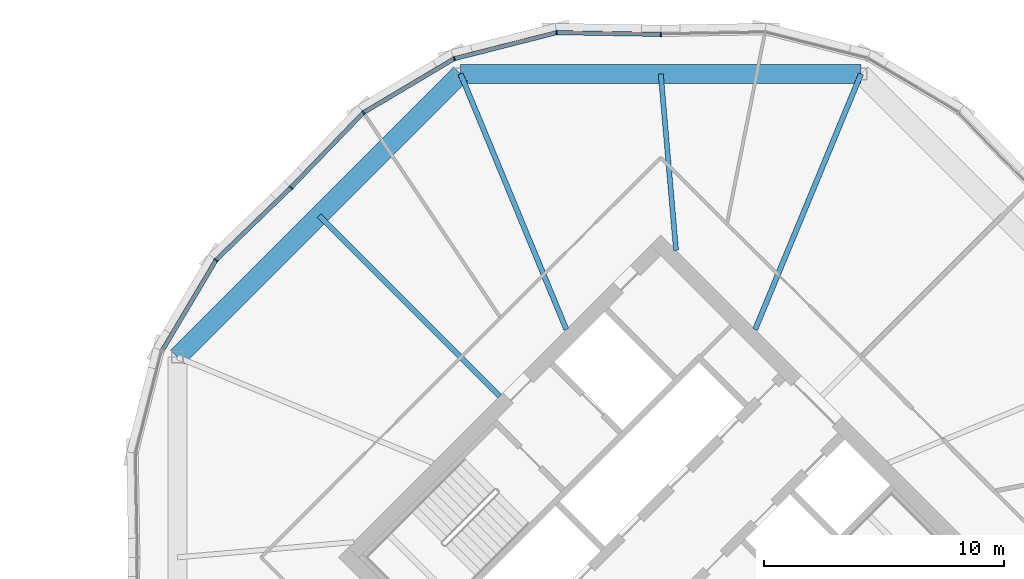
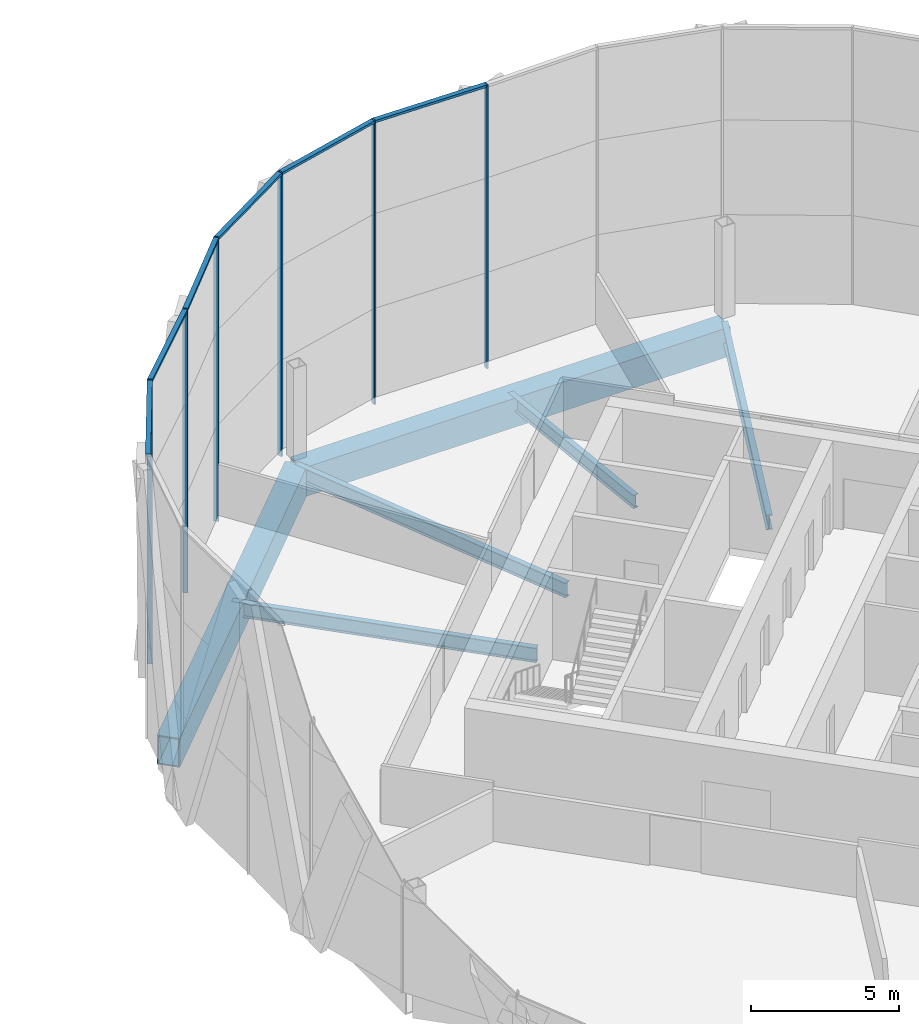
# One storey, part 11 of 23: 12 members, 6 beams, 3 elements without a shape of their own.
"""IFC4 building model written with IfcOpenShell, lengths in metres."""

from ifc_helpers import new_model, si_unit, direction, frame, origin, origin_2d, place, context, subcontext, project, spatial, rectangle, hollow_rectangle, i_section, extrude, material, material_profile, profile_set, type_object, element, aggregate, save


model = new_model("IFC4")

# Units and contexts
model_context = context("Model", 3, precision=1e-05, world=origin(), true_north=direction((0.0, 1.0)))
body_context = subcontext(model_context, "Body", "Model", "MODEL_VIEW")
ifc_project = project(units=[si_unit("LENGTHUNIT", "METRE"), si_unit("AREAUNIT", "SQUARE_METRE"), si_unit("VOLUMEUNIT", "CUBIC_METRE"), si_unit("PLANEANGLEUNIT", "RADIAN"), si_unit("MASSUNIT", "GRAM", prefix="KILO")], contexts=[model_context])

# Site, building, storey
site_placement = place(None, origin())
site = spatial("IfcSite", under=ifc_project, at=site_placement, CompositionType="ELEMENT")
building_placement = place(site_placement, origin())
building = spatial("IfcBuilding", under=site, at=building_placement, Name="Ogive Gate Towers", CompositionType="ELEMENT")
storey_placement = place(building_placement, frame((0.0, 0.0, 177.300048828125)))
storey = spatial("IfcBuildingStorey", under=building, at=storey_placement, Name="L42", CompositionType="ELEMENT", Elevation=177.300048828125)

# Beams
ifc_material_1 = material(Name="Steel SM460", Category="steel")
ifc_material_profile_1 = material_profile(ifc_material_1, hollow_rectangle(XDim=0.800048828125, YDim=1.199951171875, WallThickness=0.050048828125, at=origin_2d()), Name="BX 1200x800x50")
ifc_profile_set_1 = profile_set([ifc_material_profile_1], Name="Steel SM460")
beam_type_1 = type_object("IfcBeamType", Name="Edge girder BX 1200x800x50", PredefinedType="BEAM", material=ifc_profile_set_1)
beam_1_placement = place(storey_placement, frame((44.346435546875, 20.14990234375, -0.900146484375), z_axis=(-1.0, 0.0, 0.0), x_axis=(0.0, -1.0, 0.0)))
element("IfcBeam", 1, at=beam_1_placement, inside=storey, type_object=beam_type_1, Name="T2/L42/SBM022", PredefinedType="BEAM", context=body_context, shape_type="SweptSolid", body=[
    extrude(hollow_rectangle(XDim=0.800048828125, YDim=1.199951171875, WallThickness=0.050048828125, at=origin_2d()), origin(), (0.0, 0.0, 1.0), 16.69287109375),
])
beam_2_placement = place(storey_placement, frame((27.653564453125, 20.14990234375, -0.900146484375), z_axis=(-0.707106781187, -0.707106781187, 0.0), x_axis=(0.707106781187, -0.707106781187, 0.0)))
element("IfcBeam", 2, at=beam_2_placement, inside=storey, type_object=beam_type_1, Name="T2/L42/SBM023", PredefinedType="BEAM", context=body_context, shape_type="SweptSolid", body=[
    extrude(hollow_rectangle(XDim=0.800048828125, YDim=1.199951171875, WallThickness=0.050048828125, at=origin_2d()), origin(), (0.0, 0.0, 1.0), 16.692626953125),
])
ifc_material_2 = material(Name="Steel SM355", Category="steel")
ifc_material_profile_2 = material_profile(ifc_material_2, i_section(OverallWidth=0.2099609375, OverallDepth=0.550048828125, WebThickness=0.010986328125, FlangeThickness=0.01708984375, FilletRadius=0.02392578125, at=origin_2d()), Name="IPE 550")
ifc_profile_set_2 = profile_set([ifc_material_profile_2], Name="Steel SM355")
beam_type_2 = type_object("IfcBeamType", Name="Radial floor beam IPE 550", PredefinedType="BEAM", material=ifc_profile_set_2)
beam_3_placement = place(storey_placement, frame((36.636474609375, 12.798583984375, -0.574951171875), z_axis=(-0.086256966176, 0.996272922339, 0.0), x_axis=(-0.996272922339, -0.086256966176, 0.0)))
element("IfcBeam", 3, at=beam_3_placement, inside=storey, type_object=beam_type_2, Name="T2/L42/SBM012", PredefinedType="BEAM", context=body_context, shape_type="SweptSolid", body=[
    extrude(i_section(OverallWidth=0.2099609375, OverallDepth=0.550048828125, WebThickness=0.010986328125, FlangeThickness=0.01708984375, FilletRadius=0.02392578125, at=origin_2d()), origin(), (0.0, 0.0, 1.0), 7.37890625),
])
ifc_material_profile_3 = material_profile(ifc_material_2, i_section(OverallWidth=0.219970703125, OverallDepth=0.60009765625, WebThickness=0.011962890625, FlangeThickness=0.01904296875, FilletRadius=0.02392578125, at=origin_2d()), Name="IPE 600")
ifc_profile_set_3 = profile_set([ifc_material_profile_3], Name="Steel SM355")
beam_type_3 = type_object("IfcBeamType", Name="Radial floor beam IPE 600", PredefinedType="BEAM", material=ifc_profile_set_3)
for number, where, z_axis, x_axis, name in (
    (4, (39.93505859375, 9.5, -0.60009765625), (0.382686613691, 0.923878214756, 0.0), (-0.923878214756, 0.382686613691, 0.0), "T2/L42/SBM011"),
    (5, (32.06494140625, 9.5, -0.60009765625), (-0.382686613691, 0.923878214756, 0.0), (-0.923878214756, -0.382686613691, 0.0), "T2/L42/SBM013"),
):
    element("IfcBeam", number, at=place(storey_placement, frame(where, z_axis=z_axis, x_axis=x_axis)), inside=storey, type_object=beam_type_3, Name=name, PredefinedType="BEAM", context=body_context, shape_type="SweptSolid", body=[
        extrude(i_section(OverallWidth=0.219970703125, OverallDepth=0.60009765625, WebThickness=0.011962890625, FlangeThickness=0.01904296875, FilletRadius=0.02392578125, at=origin_2d()), origin(), (0.0, 0.0, 1.0), 11.52734375),
    ])
beam_4_placement = place(storey_placement, frame((29.282470703125, 6.717529296875, -0.60009765625), z_axis=(-0.707106781187, 0.707106781187, 0.0), x_axis=(-0.707106781187, -0.707106781187, 0.0)))
element("IfcBeam", 6, at=beam_4_placement, inside=storey, type_object=beam_type_3, Name="T2/L42/SBM014", PredefinedType="BEAM", context=body_context, shape_type="SweptSolid", body=[
    extrude(i_section(OverallWidth=0.219970703125, OverallDepth=0.60009765625, WebThickness=0.011962890625, FlangeThickness=0.01904296875, FilletRadius=0.02392578125, at=origin_2d()), origin(), (0.0, 0.0, 1.0), 10.649658203125),
])

# Curtain wall, member
ifc_material_3 = material(Name="Pale metal aluminium", Category="aluminium")
curtain_wall_type = type_object("IfcCurtainWallType", Name="Tower unitised wall, high zone", PredefinedType="NOTDEFINED", material=ifc_material_3)
curtain_wall_1_placement = place(storey_placement, origin())
curtain_wall_1 = element("IfcCurtainWall", 7, at=curtain_wall_1_placement, inside=storey, type_object=curtain_wall_type, Name="CW2 T2 ECW02", PredefinedType="NOTDEFINED")
ifc_material_profile_4 = material_profile(ifc_material_3, rectangle(XDim=0.179931640625, YDim=0.06005859375, at=origin_2d()), Name="60 x 180 aluminium box")
ifc_profile_set_4 = profile_set([ifc_material_profile_4], Name="Pale metal aluminium")
member_type_1 = type_object("IfcMemberType", Name="Tower unitised wall, high zone mullion 60 x 180", PredefinedType="MULLION", material=ifc_profile_set_4)
member_1_placement = place(storey_placement, frame((36.000244140625, 21.800048828125, -0.300048828125), z_axis=(0.0, 0.0, 1.0), x_axis=(-0.016911434246, 0.99985699147, 0.0)))
member_1 = element("IfcMember", 8, at=member_1_placement, type_object=member_type_1, Name="CW2 mullion", PredefinedType="MULLION", context=body_context, shape_type="SweptSolid", body=[
    extrude(rectangle(XDim=0.179931640625, YDim=0.06005859375, at=origin_2d()), origin(), (0.0, 0.0, 1.0), 11.699951171875),
])
aggregate(curtain_wall_1, [member_1])

# Curtain wall, members
curtain_wall_2_placement = place(storey_placement, origin())
curtain_wall_2 = element("IfcCurtainWall", 9, at=curtain_wall_2_placement, inside=storey, type_object=curtain_wall_type, Name="CW2 T2 ECW03", PredefinedType="NOTDEFINED")
member_2_placement = place(storey_placement, frame((31.656494140625, 21.87353515625, -0.300048828125), z_axis=(0.0, 0.0, 1.0), x_axis=(-0.115803987891, 0.993272085779, 0.0)))
member_2 = element("IfcMember", 10, at=member_2_placement, type_object=member_type_1, Name="CW2 mullion", PredefinedType="MULLION", context=body_context, shape_type="SweptSolid", body=[
    extrude(rectangle(XDim=0.179931640625, YDim=0.06005859375, at=origin_2d()), origin(), (0.0, 0.0, 1.0), 11.699951171875),
])
member_3_placement = place(storey_placement, frame((27.38916015625, 20.788330078125, -0.300048828125), z_axis=(0.0, 0.0, 1.0), x_axis=(-0.382683432365, 0.923879532511, 0.0)))
member_3 = element("IfcMember", 11, at=member_3_placement, type_object=member_type_1, Name="CW2 mullion", PredefinedType="MULLION", context=body_context, shape_type="SweptSolid", body=[
    extrude(rectangle(XDim=0.179931640625, YDim=0.06005859375, at=origin_2d()), origin(), (0.0, 0.0, 1.0), 11.699951171875),
])
member_4_placement = place(storey_placement, frame((23.6044921875, 18.538330078125, -0.300048828125), z_axis=(0.0, 0.0, 1.0), x_axis=(-0.620463642292, 0.784235212544, 0.0)))
member_4 = element("IfcMember", 12, at=member_4_placement, type_object=member_type_1, Name="CW2 mullion", PredefinedType="MULLION", context=body_context, shape_type="SweptSolid", body=[
    extrude(rectangle(XDim=0.179931640625, YDim=0.06005859375, at=origin_2d()), origin(), (0.0, 0.0, 1.0), 11.699951171875),
])
member_5_placement = place(storey_placement, frame((20.585205078125, 15.4150390625, -0.300048828125), z_axis=(0.0, 0.0, 1.0), x_axis=(-0.71896384872, 0.69504746905, 0.0)))
member_5 = element("IfcMember", 13, at=member_5_placement, type_object=member_type_1, Name="CW2 mullion", PredefinedType="MULLION", context=body_context, shape_type="SweptSolid", body=[
    extrude(rectangle(XDim=0.179931640625, YDim=0.06005859375, at=origin_2d()), origin(), (0.0, 0.0, 1.0), 11.699951171875),
])

# Curtain wall, member
curtain_wall_3_placement = place(storey_placement, origin())
curtain_wall_3 = element("IfcCurtainWall", 14, at=curtain_wall_3_placement, inside=storey, type_object=curtain_wall_type, Name="CW2 T2 ECW04", PredefinedType="NOTDEFINED")
member_6_placement = place(storey_placement, frame((17.461669921875, 12.3955078125, -0.300048828125), z_axis=(0.0, 0.0, 1.0), x_axis=(-0.784235212544, 0.620463642292, 0.0)))
member_6 = element("IfcMember", 15, at=member_6_placement, type_object=member_type_1, Name="CW2 mullion", PredefinedType="MULLION", context=body_context, shape_type="SweptSolid", body=[
    extrude(rectangle(XDim=0.179931640625, YDim=0.06005859375, at=origin_2d()), origin(), (0.0, 0.0, 1.0), 11.699951171875),
])

# Member
ifc_material_profile_5 = material_profile(ifc_material_3, rectangle(XDim=0.179931640625, YDim=0.10009765625, at=origin_2d()), Name="100 x 180 aluminium box")
ifc_profile_set_5 = profile_set([ifc_material_profile_5], Name="Pale metal aluminium")
member_type_2 = type_object("IfcMemberType", Name="Tower unitised wall, high zone transom 100 x 180", PredefinedType="USERDEFINED", material=ifc_profile_set_5)
member_7_placement = place(storey_placement, frame((35.9697265625, 21.800537109375, 11.349853515625), z_axis=(-0.999856819171, 0.016921618058, 0.0), x_axis=(-0.016921618058, -0.999856819171, 0.0)))
member_7 = element("IfcMember", 16, at=member_7_placement, type_object=member_type_2, Name="CW2 transom", ObjectType="TRANSOM", PredefinedType="USERDEFINED", context=body_context, shape_type="SweptSolid", body=[
    extrude(rectangle(XDim=0.179931640625, YDim=0.10009765625, at=origin_2d()), origin(), (0.0, 0.0, 1.0), 4.28515625),
])

member_8_placement = place(storey_placement, frame((31.62890625, 21.866455078125, 11.349853515625), z_axis=(-0.969143060412, -0.246498942099, 0.0), x_axis=(0.246498942099, -0.969143060412, 0.0)))
member_8 = element("IfcMember", 17, at=member_8_placement, type_object=member_type_2, Name="CW2 transom", ObjectType="TRANSOM", PredefinedType="USERDEFINED", context=body_context, shape_type="SweptSolid", body=[
    extrude(rectangle(XDim=0.179931640625, YDim=0.10009765625, at=origin_2d()), origin(), (0.0, 0.0, 1.0), 4.345947265625),
])

member_9_placement = place(storey_placement, frame((27.36474609375, 20.773681640625, 11.349853515625), z_axis=(-0.859557897045, -0.511038375885, 0.0), x_axis=(0.511038375885, -0.859557897045, 0.0)))
member_9 = element("IfcMember", 18, at=member_9_placement, type_object=member_type_2, Name="CW2 transom", ObjectType="TRANSOM", PredefinedType="USERDEFINED", context=body_context, shape_type="SweptSolid", body=[
    extrude(rectangle(XDim=0.179931640625, YDim=0.10009765625, at=origin_2d()), origin(), (0.0, 0.0, 1.0), 4.345947265625),
])

member_10_placement = place(storey_placement, frame((23.58447265625, 18.517578125, 11.349853515625), z_axis=(-0.695041730351, -0.718969396477, 0.0), x_axis=(0.718969396477, -0.695041730351, 0.0)))
member_10 = element("IfcMember", 19, at=member_10_placement, type_object=member_type_2, Name="CW2 transom", ObjectType="TRANSOM", PredefinedType="USERDEFINED", context=body_context, shape_type="SweptSolid", body=[
    extrude(rectangle(XDim=0.179931640625, YDim=0.10009765625, at=origin_2d()), origin(), (0.0, 0.0, 1.0), 4.285400390625),
])

aggregate(curtain_wall_2, [member_2, member_7, member_3, member_8, member_4, member_9, member_5, member_10])

member_11_placement = place(storey_placement, frame((20.5634765625, 15.39404296875, 11.349853515625), z_axis=(-0.718969396477, -0.695041730351, 0.0), x_axis=(0.695041730351, -0.718969396477, 0.0)))
member_11 = element("IfcMember", 20, at=member_11_placement, type_object=member_type_2, Name="CW2 transom", ObjectType="TRANSOM", PredefinedType="USERDEFINED", context=body_context, shape_type="SweptSolid", body=[
    extrude(rectangle(XDim=0.179931640625, YDim=0.10009765625, at=origin_2d()), origin(), (0.0, 0.0, 1.0), 4.285400390625),
])

member_12_placement = place(storey_placement, frame((17.447265625, 12.370849609375, 11.349853515625), z_axis=(-0.511038375885, -0.859557897045, 0.0), x_axis=(0.859557897045, -0.511038375885, 0.0)))
member_12 = element("IfcMember", 21, at=member_12_placement, type_object=member_type_2, Name="CW2 transom", ObjectType="TRANSOM", PredefinedType="USERDEFINED", context=body_context, shape_type="SweptSolid", body=[
    extrude(rectangle(XDim=0.179931640625, YDim=0.10009765625, at=origin_2d()), origin(), (0.0, 0.0, 1.0), 4.345947265625),
])

aggregate(curtain_wall_3, [member_6, member_11, member_12])

save(model, "model.ifc")
